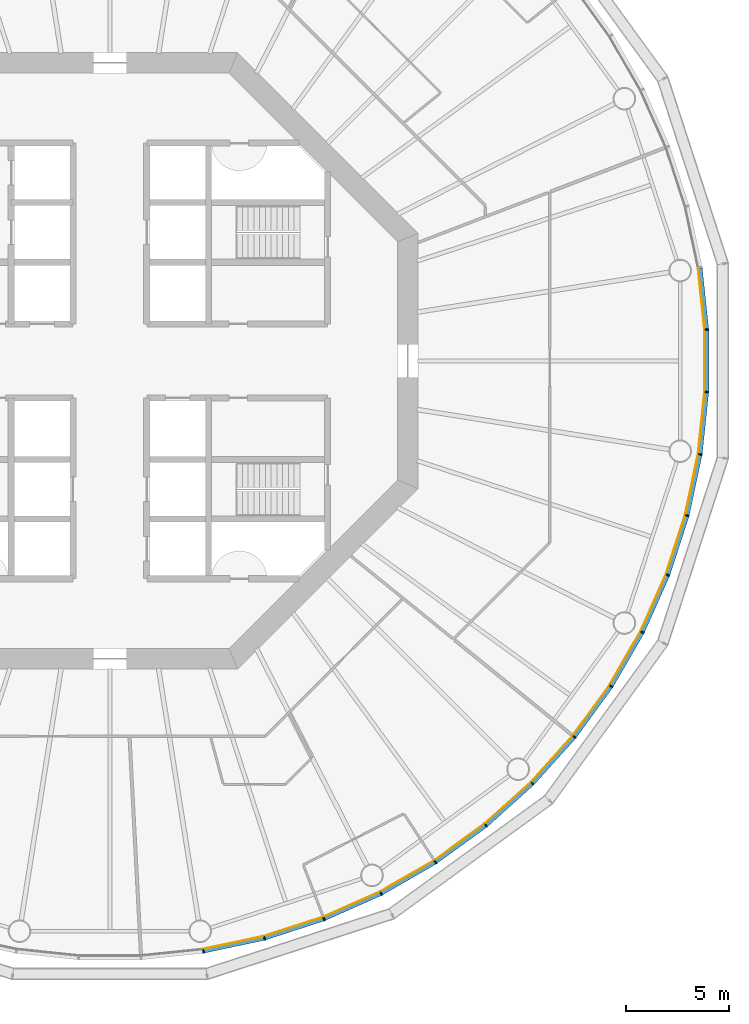
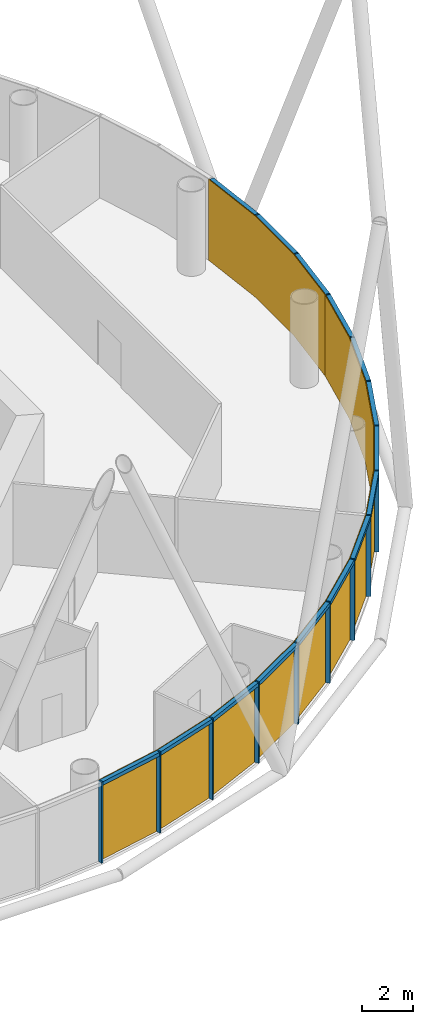
# One storey, part 9 of 13: 30 members, 5 curtain walls.
"""IFC4 building model written with IfcOpenShell, lengths in metres."""

from ifc_helpers import new_model, si_unit, direction, frame, origin, origin_2d, place, context, subcontext, project, spatial, polyline, rectangle, outline, extrude, material, layer, layer_set, material_profile, profile_set, type_object, element, aggregate, save


model = new_model("IFC4")

# Units and contexts
model_context = context("Model", 3, precision=1e-05, world=origin(), true_north=direction((0.0, 1.0)))
body_context = subcontext(model_context, "Body", "Model", "MODEL_VIEW")
ifc_project = project(units=[si_unit("LENGTHUNIT", "METRE"), si_unit("AREAUNIT", "SQUARE_METRE"), si_unit("VOLUMEUNIT", "CUBIC_METRE"), si_unit("PLANEANGLEUNIT", "RADIAN"), si_unit("MASSUNIT", "GRAM", prefix="KILO")], contexts=[model_context])

# Member
ifc_material_1 = material(Name="Anodised aluminium", Category="aluminium")
ifc_material_profile_1 = material_profile(ifc_material_1, rectangle(XDim=0.06494140625, YDim=0.18505859375, at=origin_2d()), Name="Mullion 65 x 185 mm anodised aluminium")
ifc_profile_set_1 = profile_set([ifc_material_profile_1], Name="Anodised aluminium")
member_type_1 = type_object("IfcMemberType", Name="Mullion 65 x 185 mm anodised aluminium", PredefinedType="MULLION", material=ifc_profile_set_1)
site_placement = place(None, origin())
building_placement = place(site_placement, origin())
storey_placement = place(building_placement, frame((0.0, 0.0, 180.0)))
member_1_placement = place(storey_placement, frame((94.551025390625, 51.265625, 0.0), z_axis=(0.0, 0.0, 1.0), x_axis=(0.987688340595, 0.15643446504, 0.0)))
member_1 = element("IfcMember", 1, at=member_1_placement, type_object=member_type_1, Name="MULLION L41-45", PredefinedType="MULLION", context=body_context, shape_type="SweptSolid", body=[
    extrude(rectangle(XDim=0.06494140625, YDim=0.18505859375, at=origin_2d()), origin(), (0.0, 0.0, 1.0), 3.85009765625),
])

member_2_placement = place(storey_placement, frame((97.52978515625, 51.898681640625, 0.0), z_axis=(0.0, 0.0, 1.0), x_axis=(0.965925826289, 0.258819045103, 0.0)))
member_2 = element("IfcMember", 2, at=member_2_placement, type_object=member_type_1, Name="MULLION L41-46", PredefinedType="MULLION", context=body_context, shape_type="SweptSolid", body=[
    extrude(rectangle(XDim=0.06494140625, YDim=0.18505859375, at=origin_2d()), origin(), (0.0, 0.0, 1.0), 3.85009765625),
])

member_3_placement = place(storey_placement, frame((100.42578125, 52.83984375, 0.0), z_axis=(0.0, 0.0, 1.0), x_axis=(0.933580426497, 0.358367949545, 0.0)))
member_3 = element("IfcMember", 3, at=member_3_placement, type_object=member_type_1, Name="MULLION L41-47", PredefinedType="MULLION", context=body_context, shape_type="SweptSolid", body=[
    extrude(rectangle(XDim=0.06494140625, YDim=0.18505859375, at=origin_2d()), origin(), (0.0, 0.0, 1.0), 3.85009765625),
])

member_4_placement = place(storey_placement, frame((103.207763671875, 54.078369140625, 0.0), z_axis=(0.0, 0.0, 1.0), x_axis=(0.891006524188, 0.45399049974, 0.0)))
member_4 = element("IfcMember", 4, at=member_4_placement, type_object=member_type_1, Name="MULLION L41-48", PredefinedType="MULLION", context=body_context, shape_type="SweptSolid", body=[
    extrude(rectangle(XDim=0.06494140625, YDim=0.18505859375, at=origin_2d()), origin(), (0.0, 0.0, 1.0), 3.85009765625),
])

member_5_placement = place(storey_placement, frame((105.844970703125, 55.60107421875, 0.0), z_axis=(0.0, 0.0, 1.0), x_axis=(0.838670567945, 0.544639035015, 0.0)))
member_5 = element("IfcMember", 5, at=member_5_placement, type_object=member_type_1, Name="MULLION L41-49", PredefinedType="MULLION", context=body_context, shape_type="SweptSolid", body=[
    extrude(rectangle(XDim=0.06494140625, YDim=0.18505859375, at=origin_2d()), origin(), (0.0, 0.0, 1.0), 3.85009765625),
])

member_6_placement = place(storey_placement, frame((108.30859375, 57.390869140625, 0.0), z_axis=(0.0, 0.0, 1.0), x_axis=(0.777145961457, 0.62932039105, 0.0)))
member_6 = element("IfcMember", 6, at=member_6_placement, type_object=member_type_1, Name="MULLION L41-50", PredefinedType="MULLION", context=body_context, shape_type="SweptSolid", body=[
    extrude(rectangle(XDim=0.06494140625, YDim=0.18505859375, at=origin_2d()), origin(), (0.0, 0.0, 1.0), 3.85009765625),
])

member_7_placement = place(storey_placement, frame((110.571533203125, 59.428466796875, 0.0), z_axis=(0.0, 0.0, 1.0), x_axis=(0.707106781187, 0.707106781187, 0.0)))
member_7 = element("IfcMember", 7, at=member_7_placement, type_object=member_type_1, Name="MULLION L41-51", PredefinedType="MULLION", context=body_context, shape_type="SweptSolid", body=[
    extrude(rectangle(XDim=0.06494140625, YDim=0.18505859375, at=origin_2d()), origin(), (0.0, 0.0, 1.0), 3.85009765625),
])

member_8_placement = place(storey_placement, frame((112.609130859375, 61.69140625, 0.0), z_axis=(0.0, 0.0, 1.0), x_axis=(0.62932039105, 0.777145961457, 0.0)))
member_8 = element("IfcMember", 8, at=member_8_placement, type_object=member_type_1, Name="MULLION L41-52", PredefinedType="MULLION", context=body_context, shape_type="SweptSolid", body=[
    extrude(rectangle(XDim=0.06494140625, YDim=0.18505859375, at=origin_2d()), origin(), (0.0, 0.0, 1.0), 3.85009765625),
])

member_9_placement = place(storey_placement, frame((114.39892578125, 64.155029296875, 0.0), z_axis=(0.0, 0.0, 1.0), x_axis=(0.544639035015, 0.838670567945, 0.0)))
member_9 = element("IfcMember", 9, at=member_9_placement, type_object=member_type_1, Name="MULLION L41-53", PredefinedType="MULLION", context=body_context, shape_type="SweptSolid", body=[
    extrude(rectangle(XDim=0.06494140625, YDim=0.18505859375, at=origin_2d()), origin(), (0.0, 0.0, 1.0), 3.85009765625),
])

member_10_placement = place(storey_placement, frame((115.921630859375, 66.792236328125, 0.0), z_axis=(0.0, 0.0, 1.0), x_axis=(0.45399049974, 0.891006524188, 0.0)))
member_10 = element("IfcMember", 10, at=member_10_placement, type_object=member_type_1, Name="MULLION L41-54", PredefinedType="MULLION", context=body_context, shape_type="SweptSolid", body=[
    extrude(rectangle(XDim=0.06494140625, YDim=0.18505859375, at=origin_2d()), origin(), (0.0, 0.0, 1.0), 3.85009765625),
])

member_11_placement = place(storey_placement, frame((117.16015625, 69.57421875, 0.0), z_axis=(0.0, 0.0, 1.0), x_axis=(0.358367949545, 0.933580426497, 0.0)))
member_11 = element("IfcMember", 11, at=member_11_placement, type_object=member_type_1, Name="MULLION L41-55", PredefinedType="MULLION", context=body_context, shape_type="SweptSolid", body=[
    extrude(rectangle(XDim=0.06494140625, YDim=0.18505859375, at=origin_2d()), origin(), (0.0, 0.0, 1.0), 3.85009765625),
])

member_12_placement = place(storey_placement, frame((118.101318359375, 72.47021484375, 0.0), z_axis=(0.0, 0.0, 1.0), x_axis=(0.258819045103, 0.965925826289, 0.0)))
member_12 = element("IfcMember", 12, at=member_12_placement, type_object=member_type_1, Name="MULLION L41-56", PredefinedType="MULLION", context=body_context, shape_type="SweptSolid", body=[
    extrude(rectangle(XDim=0.06494140625, YDim=0.18505859375, at=origin_2d()), origin(), (0.0, 0.0, 1.0), 3.85009765625),
])

member_13_placement = place(storey_placement, frame((118.734375, 75.448974609375, 0.0), z_axis=(0.0, 0.0, 1.0), x_axis=(0.15643446504, 0.987688340595, 0.0)))
member_13 = element("IfcMember", 13, at=member_13_placement, type_object=member_type_1, Name="MULLION L41-57", PredefinedType="MULLION", context=body_context, shape_type="SweptSolid", body=[
    extrude(rectangle(XDim=0.06494140625, YDim=0.18505859375, at=origin_2d()), origin(), (0.0, 0.0, 1.0), 3.85009765625),
])

member_14_placement = place(storey_placement, frame((119.052734375, 78.477294921875, 0.0), z_axis=(0.0, 0.0, 1.0), x_axis=(0.052335956243, 0.998629534755, 0.0)))
member_14 = element("IfcMember", 14, at=member_14_placement, type_object=member_type_1, Name="MULLION L41-58", PredefinedType="MULLION", context=body_context, shape_type="SweptSolid", body=[
    extrude(rectangle(XDim=0.06494140625, YDim=0.18505859375, at=origin_2d()), origin(), (0.0, 0.0, 1.0), 3.85009765625),
])

member_15_placement = place(storey_placement, frame((119.052734375, 81.522705078125, 0.0), z_axis=(0.0, 0.0, 1.0), x_axis=(-0.052335956243, 0.998629534755, 0.0)))
member_15 = element("IfcMember", 15, at=member_15_placement, type_object=member_type_1, Name="MULLION L41-59", PredefinedType="MULLION", context=body_context, shape_type="SweptSolid", body=[
    extrude(rectangle(XDim=0.06494140625, YDim=0.18505859375, at=origin_2d()), origin(), (0.0, 0.0, 1.0), 3.85009765625),
])

ifc_material_2 = material(Name="Anodised aluminium", Category="aluminium")
ifc_material_profile_2 = material_profile(ifc_material_2, rectangle(XDim=0.18505859375, YDim=0.175048828125, at=origin_2d()), Name="Transom 175 x 185 mm anodised aluminium")
ifc_profile_set_2 = profile_set([ifc_material_profile_2], Name="Anodised aluminium")
member_type_2 = type_object("IfcMemberType", Name="Transom 175 x 185 mm anodised aluminium", PredefinedType="USERDEFINED", material=ifc_profile_set_2)
member_16_placement = place(storey_placement, frame((94.587646484375, 51.2734375, 3.762451171875), z_axis=(0.97815822425, 0.207861704825, 0.0), x_axis=(-0.207861704825, 0.97815822425, 0.0)))
member_16 = element("IfcMember", 16, at=member_16_placement, type_object=member_type_2, Name="TRANSOM L41-45", ObjectType="TRANSOM", PredefinedType="USERDEFINED", context=body_context, shape_type="SweptSolid", body=[
    extrude(rectangle(XDim=0.18505859375, YDim=0.175048828125, at=origin_2d()), origin(), (0.0, 0.0, 1.0), 2.970458984375),
])

member_17_placement = place(storey_placement, frame((97.565185546875, 51.91015625, 3.762451171875), z_axis=(0.951055809184, 0.30901917063, 0.0), x_axis=(-0.30901917063, 0.951055809184, 0.0)))
member_17 = element("IfcMember", 17, at=member_17_placement, type_object=member_type_2, Name="TRANSOM L41-46", ObjectType="TRANSOM", PredefinedType="USERDEFINED", context=body_context, shape_type="SweptSolid", body=[
    extrude(rectangle(XDim=0.18505859375, YDim=0.175048828125, at=origin_2d()), origin(), (0.0, 0.0, 1.0), 2.970703125),
])

member_18_placement = place(storey_placement, frame((100.4599609375, 52.85498046875, 3.762451171875), z_axis=(0.913567348806, 0.406687471156, 0.0), x_axis=(-0.406687471156, 0.913567348806, 0.0)))
member_18 = element("IfcMember", 18, at=member_18_placement, type_object=member_type_2, Name="TRANSOM L41-47", ObjectType="TRANSOM", PredefinedType="USERDEFINED", context=body_context, shape_type="SweptSolid", body=[
    extrude(rectangle(XDim=0.18505859375, YDim=0.175048828125, at=origin_2d()), origin(), (0.0, 0.0, 1.0), 2.970458984375),
])

member_19_placement = place(storey_placement, frame((103.240234375, 54.096923828125, 3.762451171875), z_axis=(0.866009025146, 0.500028367561, 0.0), x_axis=(-0.500028367561, 0.866009025146, 0.0)))
member_19 = element("IfcMember", 19, at=member_19_placement, type_object=member_type_2, Name="TRANSOM L41-48", ObjectType="TRANSOM", PredefinedType="USERDEFINED", context=body_context, shape_type="SweptSolid", body=[
    extrude(rectangle(XDim=0.18505859375, YDim=0.175048828125, at=origin_2d()), origin(), (0.0, 0.0, 1.0), 2.970458984375),
])

member_20_placement = place(storey_placement, frame((105.875244140625, 55.622802734375, 3.762451171875), z_axis=(0.808991906087, 0.587819781808, 0.0), x_axis=(-0.587819781808, 0.808991906087, 0.0)))
member_20 = element("IfcMember", 20, at=member_20_placement, type_object=member_type_2, Name="TRANSOM L41-49", ObjectType="TRANSOM", PredefinedType="USERDEFINED", context=body_context, shape_type="SweptSolid", body=[
    extrude(rectangle(XDim=0.18505859375, YDim=0.175048828125, at=origin_2d()), origin(), (0.0, 0.0, 1.0), 2.970458984375),
])

member_21_placement = place(storey_placement, frame((108.33642578125, 57.415771484375, 3.762451171875), z_axis=(0.743163354343, 0.669110027395, 0.0), x_axis=(-0.669110027395, 0.743163354343, 0.0)))
member_21 = element("IfcMember", 21, at=member_21_placement, type_object=member_type_2, Name="TRANSOM L41-50", ObjectType="TRANSOM", PredefinedType="USERDEFINED", context=body_context, shape_type="SweptSolid", body=[
    extrude(rectangle(XDim=0.18505859375, YDim=0.175048828125, at=origin_2d()), origin(), (0.0, 0.0, 1.0), 2.970458984375),
])

member_22_placement = place(storey_placement, frame((110.5966796875, 59.4560546875, 3.762451171875), z_axis=(0.669110027395, 0.743163354343, 0.0), x_axis=(-0.743163354343, 0.669110027395, 0.0)))
member_22 = element("IfcMember", 22, at=member_22_placement, type_object=member_type_2, Name="TRANSOM L41-51", ObjectType="TRANSOM", PredefinedType="USERDEFINED", context=body_context, shape_type="SweptSolid", body=[
    extrude(rectangle(XDim=0.18505859375, YDim=0.175048828125, at=origin_2d()), origin(), (0.0, 0.0, 1.0), 2.970458984375),
])

member_23_placement = place(storey_placement, frame((112.631103515625, 61.7216796875, 3.762451171875), z_axis=(0.587819781808, 0.808991906087, 0.0), x_axis=(-0.808991906087, 0.587819781808, 0.0)))
member_23 = element("IfcMember", 23, at=member_23_placement, type_object=member_type_2, Name="TRANSOM L41-52", ObjectType="TRANSOM", PredefinedType="USERDEFINED", context=body_context, shape_type="SweptSolid", body=[
    extrude(rectangle(XDim=0.18505859375, YDim=0.175048828125, at=origin_2d()), origin(), (0.0, 0.0, 1.0), 2.970458984375),
])

member_24_placement = place(storey_placement, frame((114.417724609375, 64.187255859375, 3.762451171875), z_axis=(0.500028367561, 0.866009025146, 0.0), x_axis=(-0.866009025146, 0.500028367561, 0.0)))
member_24 = element("IfcMember", 24, at=member_24_placement, type_object=member_type_2, Name="TRANSOM L41-53", ObjectType="TRANSOM", PredefinedType="USERDEFINED", context=body_context, shape_type="SweptSolid", body=[
    extrude(rectangle(XDim=0.18505859375, YDim=0.175048828125, at=origin_2d()), origin(), (0.0, 0.0, 1.0), 2.970458984375),
])

member_25_placement = place(storey_placement, frame((115.93701171875, 66.826416015625, 3.762451171875), z_axis=(0.406687471156, 0.913567348806, 0.0), x_axis=(-0.913567348806, 0.406687471156, 0.0)))
member_25 = element("IfcMember", 25, at=member_25_placement, type_object=member_type_2, Name="TRANSOM L41-54", ObjectType="TRANSOM", PredefinedType="USERDEFINED", context=body_context, shape_type="SweptSolid", body=[
    extrude(rectangle(XDim=0.18505859375, YDim=0.175048828125, at=origin_2d()), origin(), (0.0, 0.0, 1.0), 2.970458984375),
])

member_26_placement = place(storey_placement, frame((117.171875, 69.609619140625, 3.762451171875), z_axis=(0.30901917063, 0.951055809184, 0.0), x_axis=(-0.951055809184, 0.30901917063, 0.0)))
member_26 = element("IfcMember", 26, at=member_26_placement, type_object=member_type_2, Name="TRANSOM L41-55", ObjectType="TRANSOM", PredefinedType="USERDEFINED", context=body_context, shape_type="SweptSolid", body=[
    extrude(rectangle(XDim=0.18505859375, YDim=0.175048828125, at=origin_2d()), origin(), (0.0, 0.0, 1.0), 2.970703125),
])

member_27_placement = place(storey_placement, frame((118.109130859375, 72.5068359375, 3.762451171875), z_axis=(0.207861704825, 0.97815822425, 0.0), x_axis=(-0.97815822425, 0.207861704825, 0.0)))
member_27 = element("IfcMember", 27, at=member_27_placement, type_object=member_type_2, Name="TRANSOM L41-56", ObjectType="TRANSOM", PredefinedType="USERDEFINED", context=body_context, shape_type="SweptSolid", body=[
    extrude(rectangle(XDim=0.18505859375, YDim=0.175048828125, at=origin_2d()), origin(), (0.0, 0.0, 1.0), 2.970458984375),
])

member_28_placement = place(storey_placement, frame((118.73828125, 75.486083984375, 3.762451171875), z_axis=(0.104547872381, 0.994519855197, 0.0), x_axis=(-0.994519855197, 0.104547872381, 0.0)))
member_28 = element("IfcMember", 28, at=member_28_placement, type_object=member_type_2, Name="TRANSOM L41-57", ObjectType="TRANSOM", PredefinedType="USERDEFINED", context=body_context, shape_type="SweptSolid", body=[
    extrude(rectangle(XDim=0.18505859375, YDim=0.175048828125, at=origin_2d()), origin(), (0.0, 0.0, 1.0), 2.970458984375),
])

member_29_placement = place(storey_placement, frame((119.052734375, 78.5146484375, 3.762451171875), z_axis=(0.0, 1.0, 0.0), x_axis=(-1.0, 0.0, 0.0)))
member_29 = element("IfcMember", 29, at=member_29_placement, type_object=member_type_2, Name="TRANSOM L41-58", ObjectType="TRANSOM", PredefinedType="USERDEFINED", context=body_context, shape_type="SweptSolid", body=[
    extrude(rectangle(XDim=0.18505859375, YDim=0.175048828125, at=origin_2d()), origin(), (0.0, 0.0, 1.0), 2.970703125),
])

member_30_placement = place(storey_placement, frame((119.048828125, 81.559814453125, 3.762451171875), z_axis=(-0.104547872381, 0.994519855197, 0.0), x_axis=(-0.994519855197, -0.104547872381, 0.0)))
member_30 = element("IfcMember", 30, at=member_30_placement, type_object=member_type_2, Name="TRANSOM L41-59", ObjectType="TRANSOM", PredefinedType="USERDEFINED", context=body_context, shape_type="SweptSolid", body=[
    extrude(rectangle(XDim=0.18505859375, YDim=0.175048828125, at=origin_2d()), origin(), (0.0, 0.0, 1.0), 2.970458984375),
])

# Site, building, storey
site = spatial("IfcSite", under=ifc_project, at=site_placement, CompositionType="ELEMENT")
building = spatial("IfcBuilding", under=site, at=building_placement, Name="Entoto Ring Tower", CompositionType="ELEMENT")
storey = spatial("IfcBuildingStorey", under=building, at=storey_placement, Name="L41", CompositionType="ELEMENT", Elevation=180.0)

# Curtain wall
ifc_material_3 = material(Name="Clear low-iron glass", Category="glass")
ifc_layer = layer(ifc_material_3, 0.033935546875)
ifc_layer_set = layer_set([ifc_layer], Name="Clear low-iron glass")
curtain_wall_type = type_object("IfcCurtainWallType", Name="Curtain wall system CW3 glazing 34 mm", PredefinedType="NOTDEFINED", material=ifc_layer_set)
curtain_wall_1_placement = place(storey_placement, origin())
curtain_wall_1 = element("IfcCurtainWall", 31, at=curtain_wall_1_placement, inside=storey, type_object=curtain_wall_type, Name="CW3 L41-16", PredefinedType="NOTDEFINED", context=body_context, shape_type="SweptSolid", body=[
    extrude(outline(polyline([(94.53662109375, 51.35693359375), (97.505859375, 51.988037109375), (100.392578125, 52.92626953125), (103.165771484375, 54.160888671875), (103.150146484375, 54.191162109375), (100.38037109375, 52.9580078125), (97.496826171875, 52.02099609375), (94.53125, 51.390625), (94.53662109375, 51.35693359375)])), origin(), (0.0, 0.0, 1.0), 3.85009765625),
])

aggregate(curtain_wall_1, [member_1, member_2, member_3, member_16, member_17, member_18])

curtain_wall_2_placement = place(storey_placement, origin())
curtain_wall_2 = element("IfcCurtainWall", 32, at=curtain_wall_2_placement, inside=storey, type_object=curtain_wall_type, Name="CW3 L41-17", PredefinedType="NOTDEFINED", context=body_context, shape_type="SweptSolid", body=[
    extrude(outline(polyline([(103.165771484375, 54.160888671875), (105.79443359375, 55.678466796875), (108.250244140625, 57.462646484375), (110.506103515625, 59.493896484375), (110.48193359375, 59.51806640625), (108.228759765625, 57.4892578125), (105.77587890625, 55.70703125), (103.150146484375, 54.191162109375), (103.165771484375, 54.160888671875)])), origin(), (0.0, 0.0, 1.0), 3.85009765625),
])

aggregate(curtain_wall_2, [member_4, member_5, member_6, member_19, member_20, member_21])

curtain_wall_3_placement = place(storey_placement, origin())
curtain_wall_3 = element("IfcCurtainWall", 33, at=curtain_wall_3_placement, inside=storey, type_object=curtain_wall_type, Name="CW3 L41-18", PredefinedType="NOTDEFINED", context=body_context, shape_type="SweptSolid", body=[
    extrude(outline(polyline([(110.506103515625, 59.493896484375), (112.537353515625, 61.749755859375), (114.321533203125, 64.20556640625), (115.839111328125, 66.834228515625), (115.808837890625, 66.849853515625), (114.29296875, 64.22412109375), (112.5107421875, 61.771240234375), (110.48193359375, 59.51806640625), (110.506103515625, 59.493896484375)])), origin(), (0.0, 0.0, 1.0), 3.85009765625),
])

aggregate(curtain_wall_3, [member_7, member_8, member_9, member_22, member_23, member_24])

curtain_wall_4_placement = place(storey_placement, origin())
curtain_wall_4 = element("IfcCurtainWall", 34, at=curtain_wall_4_placement, inside=storey, type_object=curtain_wall_type, Name="CW3 L41-19", PredefinedType="NOTDEFINED", context=body_context, shape_type="SweptSolid", body=[
    extrude(outline(polyline([(115.839111328125, 66.834228515625), (117.07373046875, 69.607421875), (118.011962890625, 72.494140625), (118.64306640625, 75.46337890625), (118.609375, 75.46875), (117.97900390625, 72.503173828125), (117.0419921875, 69.61962890625), (115.808837890625, 66.849853515625), (115.839111328125, 66.834228515625)])), origin(), (0.0, 0.0, 1.0), 3.85009765625),
])

aggregate(curtain_wall_4, [member_10, member_11, member_12, member_25, member_26, member_27])

curtain_wall_5_placement = place(storey_placement, origin())
curtain_wall_5 = element("IfcCurtainWall", 35, at=curtain_wall_5_placement, inside=storey, type_object=curtain_wall_type, Name="CW3 L41-20", PredefinedType="NOTDEFINED", context=body_context, shape_type="SweptSolid", body=[
    extrude(outline(polyline([(118.64306640625, 75.46337890625), (118.960205078125, 78.482177734375), (118.960205078125, 81.517822265625), (118.64306640625, 84.53662109375), (118.609375, 84.53125), (118.92626953125, 81.515869140625), (118.92626953125, 78.484130859375), (118.609375, 75.46875), (118.64306640625, 75.46337890625)])), origin(), (0.0, 0.0, 1.0), 3.85009765625),
])

aggregate(curtain_wall_5, [member_13, member_14, member_15, member_28, member_29, member_30])

save(model, "model.ifc")
